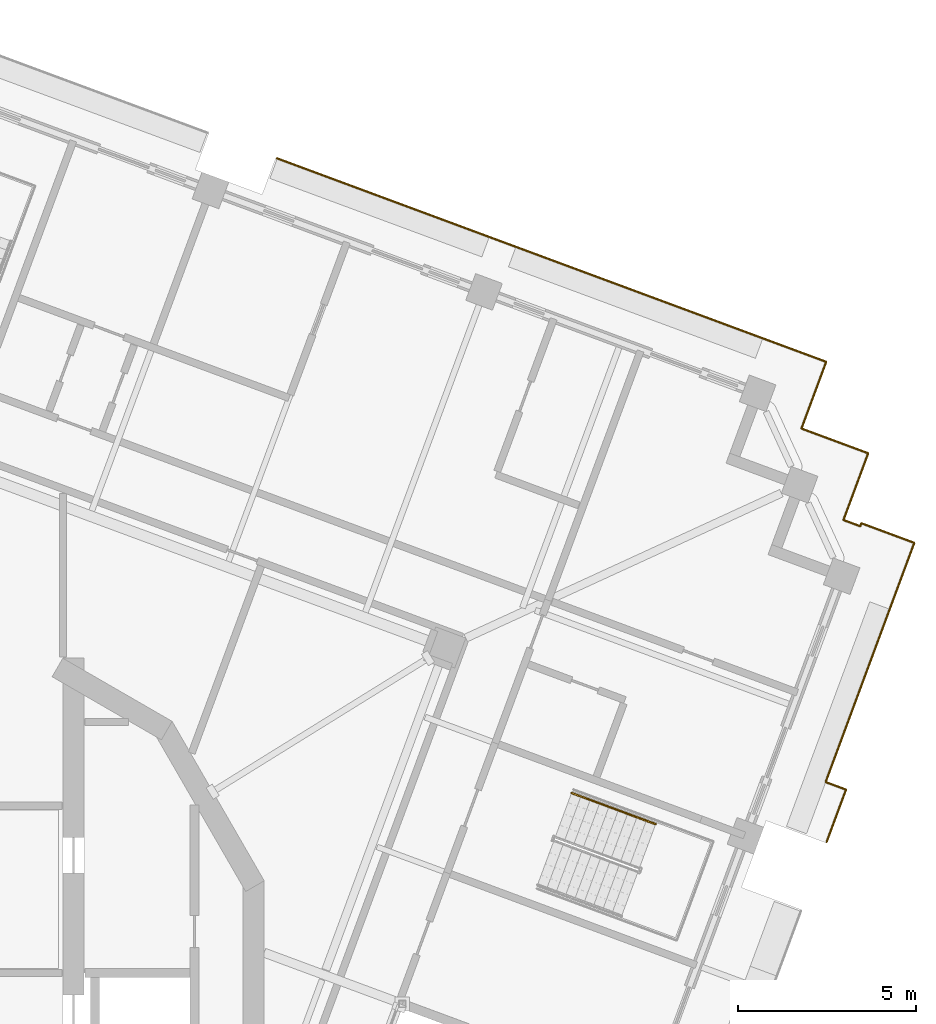
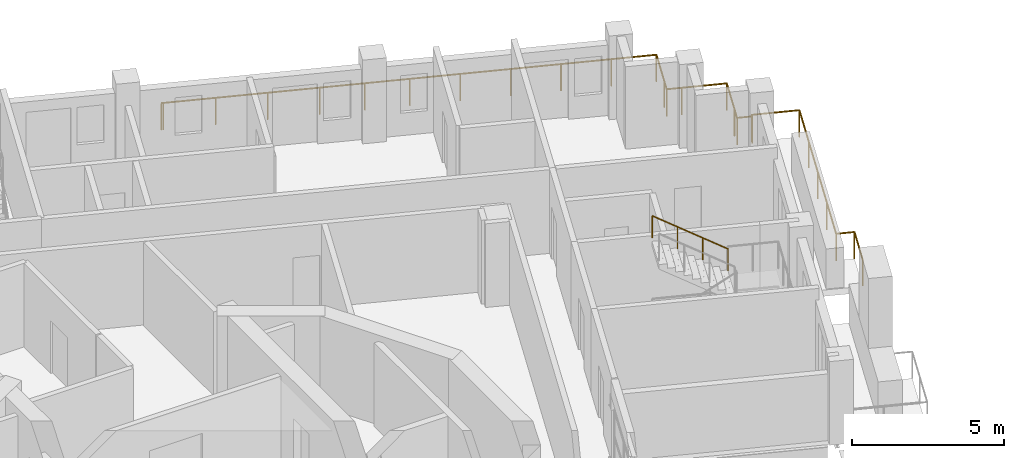
# One storey, part 18 of 19: 3 railings.
"""IFC4 building model written with IfcOpenShell, lengths in metres."""

from ifc_helpers import new_model, si_unit, direction, frame, origin, origin_2d, place, context, subcontext, project, spatial, circle, extrude, material, type_object, element, save


model = new_model("IFC4")

# Units and contexts
model_context = context("Model", 3, precision=1e-05, world=origin(), true_north=direction((0.0, 1.0)))
body_context = subcontext(model_context, "Body", "Model", "MODEL_VIEW")
ifc_project = project(units=[si_unit("LENGTHUNIT", "METRE"), si_unit("AREAUNIT", "SQUARE_METRE"), si_unit("VOLUMEUNIT", "CUBIC_METRE"), si_unit("PLANEANGLEUNIT", "RADIAN"), si_unit("MASSUNIT", "GRAM", prefix="KILO")], contexts=[model_context])

# Site, building, storey
site_placement = place(None, origin())
site = spatial("IfcSite", under=ifc_project, at=site_placement, CompositionType="ELEMENT")
building_placement = place(site_placement, origin())
building = spatial("IfcBuilding", under=site, at=building_placement, Name="Cantera Rosa Tower", CompositionType="ELEMENT")
storey_placement = place(building_placement, frame((0.0, 0.0, 331.300048828125)))
storey = spatial("IfcBuildingStorey", under=building, at=storey_placement, Name="L74", CompositionType="ELEMENT", Elevation=331.300048828125)

# Railings
ifc_material_1 = material(Name="Stainless steel and laminated glass", Category="steel")
railing_type_1 = type_object("IfcRailingType", Name="GUARD 1100", PredefinedType="BALUSTRADE", material=ifc_material_1)
railing_1_placement = place(storey_placement, frame((26.408447265625, 12.555908203125, 0.0)))
element("IfcRailing", 1, at=railing_1_placement, inside=storey, type_object=railing_type_1, Name="GUARD L74-9", PredefinedType="BALUSTRADE", context=body_context, shape_type="SweptSolid", body=[
    extrude(circle(Radius=0.030029296875, at=origin_2d()), frame((0.0, 0.0, 1.070068359375), z_axis=(0.348733712021, 0.937221851058, 0.0), x_axis=(-0.937221851058, 0.348733712021, 0.0)), (0.0, 0.0, 1.0), 0.089599609375),
    extrude(circle(Radius=0.030029296875, at=origin_2d()), frame((0.03125, 0.083984375, 1.070068359375), z_axis=(0.937704286129, -0.347434413632, 0.0), x_axis=(0.347434413632, 0.937704286129, 0.0)), (0.0, 0.0, 1.0), 1.589599609375),
    extrude(circle(Radius=0.030029296875, at=origin_2d()), frame((1.521728515625, -0.46826171875, 1.070068359375), z_axis=(-0.347478495795, -0.937687951805, 0.0), x_axis=(0.937687951805, -0.347478495795, 0.0)), (0.0, 0.0, 1.0), 7.16943359375),
    extrude(circle(Radius=0.030029296875, at=origin_2d()), frame((-0.969482421875, -7.19091796875, 1.070068359375), z_axis=(0.937734294908, -0.347353411029, 0.0), x_axis=(0.347353411029, 0.937734294908, 0.0)), (0.0, 0.0, 1.0), 0.61083984375),
    extrude(circle(Radius=0.030029296875, at=origin_2d()), frame((-0.396728515625, -7.403076171875, 1.070068359375), z_axis=(-0.347491582396, -0.937683102207, 0.0), x_axis=(0.937683102207, -0.347491582396, 0.0)), (0.0, 0.0, 1.0), 1.5703125),
    extrude(circle(Radius=0.02490234375, at=origin_2d()), origin(), (0.0, 0.0, 1.0), 1.0400390625),
    extrude(circle(Radius=0.02490234375, at=origin_2d()), frame((0.03125, 0.083984375, 0.0)), (0.0, 0.0, 1.0), 1.0400390625),
    extrude(circle(Radius=0.02490234375, at=origin_2d()), frame((1.521728515625, -0.46826171875, 0.0)), (0.0, 0.0, 1.0), 1.0400390625),
    extrude(circle(Radius=0.02490234375, at=origin_2d()), frame((0.89892578125, -2.14892578125, 0.0)), (0.0, 0.0, 1.0), 1.0400390625),
    extrude(circle(Radius=0.02490234375, at=origin_2d()), frame((0.276123046875, -3.82958984375, 0.0)), (0.0, 0.0, 1.0), 1.0400390625),
    extrude(circle(Radius=0.02490234375, at=origin_2d()), frame((-0.3466796875, -5.51025390625, 0.0)), (0.0, 0.0, 1.0), 1.0400390625),
    extrude(circle(Radius=0.02490234375, at=origin_2d()), frame((-0.969482421875, -7.19091796875, 0.0)), (0.0, 0.0, 1.0), 1.0400390625),
    extrude(circle(Radius=0.02490234375, at=origin_2d()), frame((-0.396728515625, -7.403076171875, 0.0)), (0.0, 0.0, 1.0), 1.0400390625),
    extrude(circle(Radius=0.02490234375, at=origin_2d()), frame((-0.9423828125, -8.87548828125, 0.0)), (0.0, 0.0, 1.0), 1.0400390625),
])
railing_2_placement = place(storey_placement, frame((10.010498046875, 22.8984375, 0.0)))
element("IfcRailing", 2, at=railing_2_placement, inside=storey, type_object=railing_type_1, Name="GUARD L74-10", PredefinedType="BALUSTRADE", context=body_context, shape_type="SweptSolid", body=[
    extrude(circle(Radius=0.030029296875, at=origin_2d()), frame((0.0, 0.0, 1.070068359375), z_axis=(0.937327749542, -0.348448977525, 0.0), x_axis=(0.348448977525, 0.937327749542, 0.0)), (0.0, 0.0, 1.0), 0.070068359375),
    extrude(circle(Radius=0.030029296875, at=origin_2d()), frame((0.065673828125, -0.0244140625, 1.070068359375), z_axis=(0.937688147358, -0.347477968085, 0.0), x_axis=(0.347477968085, 0.937688147358, 0.0)), (0.0, 0.0, 1.0), 5.199951171875),
    extrude(circle(Radius=0.030029296875, at=origin_2d()), frame((4.941650390625, -1.831298828125, 1.070068359375), z_axis=(0.937680024402, -0.347499887537, 0.0), x_axis=(0.347499887537, 0.937680024402, 0.0)), (0.0, 0.0, 1.0), 3.0),
    extrude(circle(Radius=0.030029296875, at=origin_2d()), frame((7.754638671875, -2.873779296875, 1.070068359375), z_axis=(0.937686328856, -0.347482875373, 0.0), x_axis=(0.347482875373, 0.937686328856, 0.0)), (0.0, 0.0, 1.0), 6.699951171875),
    extrude(circle(Radius=0.030029296875, at=origin_2d()), frame((14.037109375, -5.201904296875, 1.070068359375), z_axis=(0.93769967459, -0.347446859641, 0.0), x_axis=(0.347446859641, 0.93769967459, 0.0)), (0.0, 0.0, 1.0), 1.500244140625),
    extrude(circle(Radius=0.030029296875, at=origin_2d()), frame((15.44384765625, -5.72314453125, 1.070068359375), z_axis=(-0.347499887537, -0.937680024402, 0.0), x_axis=(0.937680024402, -0.347499887537, 0.0)), (0.0, 0.0, 1.0), 1.5),
    extrude(circle(Radius=0.030029296875, at=origin_2d()), frame((14.922607421875, -7.129638671875, 1.070068359375), z_axis=(-0.347696042931, -0.937607306781, 0.0), x_axis=(0.937607306781, -0.347696042931, 0.0)), (0.0, 0.0, 1.0), 0.5),
    extrude(circle(Radius=0.030029296875, at=origin_2d()), frame((14.748779296875, -7.598388671875, 1.070068359375), z_axis=(0.937607306781, -0.347696042931, 0.0), x_axis=(0.347696042931, 0.937607306781, 0.0)), (0.0, 0.0, 1.0), 0.5),
    extrude(circle(Radius=0.030029296875, at=origin_2d()), frame((15.217529296875, -7.772216796875, 1.070068359375), z_axis=(0.93769967459, -0.347446859641, 0.0), x_axis=(0.347446859641, 0.93769967459, 0.0)), (0.0, 0.0, 1.0), 1.500244140625),
    extrude(circle(Radius=0.030029296875, at=origin_2d()), frame((16.624267578125, -8.29345703125, 1.070068359375), z_axis=(-0.347499887537, -0.937680024402, 0.0), x_axis=(0.937680024402, -0.347499887537, 0.0)), (0.0, 0.0, 1.0), 1.5),
    extrude(circle(Radius=0.030029296875, at=origin_2d()), frame((16.10302734375, -9.699951171875, 1.070068359375), z_axis=(-0.347696042931, -0.937607306781, 0.0), x_axis=(0.937607306781, -0.347696042931, 0.0)), (0.0, 0.0, 1.0), 0.5),
    extrude(circle(Radius=0.030029296875, at=origin_2d()), frame((15.92919921875, -10.168701171875, 1.070068359375), z_axis=(0.937607306781, -0.347696042931, 0.0), x_axis=(0.347696042931, 0.937607306781, 0.0)), (0.0, 0.0, 1.0), 0.5),
    extrude(circle(Radius=0.02490234375, at=origin_2d()), origin(), (0.0, 0.0, 1.0), 1.0400390625),
    extrude(circle(Radius=0.02490234375, at=origin_2d()), frame((0.065673828125, -0.0244140625, 0.0)), (0.0, 0.0, 1.0), 1.0400390625),
    extrude(circle(Radius=0.02490234375, at=origin_2d()), frame((1.69091796875, -0.626708984375, 0.0)), (0.0, 0.0, 1.0), 1.0400390625),
    extrude(circle(Radius=0.02490234375, at=origin_2d()), frame((3.31640625, -1.22900390625, 0.0)), (0.0, 0.0, 1.0), 1.0400390625),
    extrude(circle(Radius=0.02490234375, at=origin_2d()), frame((4.941650390625, -1.831298828125, 0.0)), (0.0, 0.0, 1.0), 1.0400390625),
    extrude(circle(Radius=0.02490234375, at=origin_2d()), frame((6.34814453125, -2.3525390625, 0.0)), (0.0, 0.0, 1.0), 1.0400390625),
    extrude(circle(Radius=0.02490234375, at=origin_2d()), frame((7.754638671875, -2.873779296875, 0.0)), (0.0, 0.0, 1.0), 1.0400390625),
    extrude(circle(Radius=0.02490234375, at=origin_2d()), frame((9.3251953125, -3.455810546875, 0.0)), (0.0, 0.0, 1.0), 1.0400390625),
    extrude(circle(Radius=0.02490234375, at=origin_2d()), frame((10.89599609375, -4.037841796875, 0.0)), (0.0, 0.0, 1.0), 1.0400390625),
    extrude(circle(Radius=0.02490234375, at=origin_2d()), frame((12.466552734375, -4.619873046875, 0.0)), (0.0, 0.0, 1.0), 1.0400390625),
    extrude(circle(Radius=0.02490234375, at=origin_2d()), frame((14.037109375, -5.201904296875, 0.0)), (0.0, 0.0, 1.0), 1.0400390625),
    extrude(circle(Radius=0.02490234375, at=origin_2d()), frame((15.44384765625, -5.72314453125, 0.0)), (0.0, 0.0, 1.0), 1.0400390625),
    extrude(circle(Radius=0.02490234375, at=origin_2d()), frame((14.922607421875, -7.129638671875, 0.0)), (0.0, 0.0, 1.0), 1.0400390625),
    extrude(circle(Radius=0.02490234375, at=origin_2d()), frame((14.748779296875, -7.598388671875, 0.0)), (0.0, 0.0, 1.0), 1.0400390625),
    extrude(circle(Radius=0.02490234375, at=origin_2d()), frame((15.217529296875, -7.772216796875, 0.0)), (0.0, 0.0, 1.0), 1.0400390625),
    extrude(circle(Radius=0.02490234375, at=origin_2d()), frame((16.624267578125, -8.29345703125, 0.0)), (0.0, 0.0, 1.0), 1.0400390625),
    extrude(circle(Radius=0.02490234375, at=origin_2d()), frame((16.10302734375, -9.699951171875, 0.0)), (0.0, 0.0, 1.0), 1.0400390625),
    extrude(circle(Radius=0.02490234375, at=origin_2d()), frame((15.92919921875, -10.168701171875, 0.0)), (0.0, 0.0, 1.0), 1.0400390625),
    extrude(circle(Radius=0.02490234375, at=origin_2d()), frame((16.39794921875, -10.342529296875, 0.0)), (0.0, 0.0, 1.0), 1.0400390625),
])
ifc_material_2 = material(Name="Steel S355J2 (EN 10025-2)", Category="steel")
railing_type_2 = type_object("IfcRailingType", Name="STAIR HANDRAIL 900", PredefinedType="HANDRAIL", material=ifc_material_2)
railing_3_placement = place(storey_placement, frame((20.660400390625, 4.181396484375, 1.97998046875)))
element("IfcRailing", 3, at=railing_3_placement, inside=storey, type_object=railing_type_2, Name="L74 ST-61 stair handrail 2", PredefinedType="HANDRAIL", context=body_context, shape_type="SweptSolid", body=[
    extrude(circle(Radius=0.02392578125, at=origin_2d()), frame((0.0, 0.0, 0.8759765625), z_axis=(-0.78878233546, 0.292319685639, 0.540713998944), x_axis=(-0.347500508527, -0.937679794265, 0.0)), (0.0, 0.0, 1.0), 2.995849609375),
    extrude(circle(Radius=0.02099609375, at=origin_2d()), origin(), (0.0, 0.0, 1.0), 0.851806640625),
    extrude(circle(Radius=0.02099609375, at=origin_2d()), frame((-0.78759765625, 0.2919921875, 0.5400390625)), (0.0, 0.0, 1.0), 0.851806640625),
    extrude(circle(Radius=0.02099609375, at=origin_2d()), frame((-1.575439453125, 0.583740234375, 1.079833984375)), (0.0, 0.0, 1.0), 0.851806640625),
    extrude(circle(Radius=0.02099609375, at=origin_2d()), frame((-2.363037109375, 0.875732421875, 1.619873046875)), (0.0, 0.0, 1.0), 0.851806640625),
])

save(model, "model.ifc")
